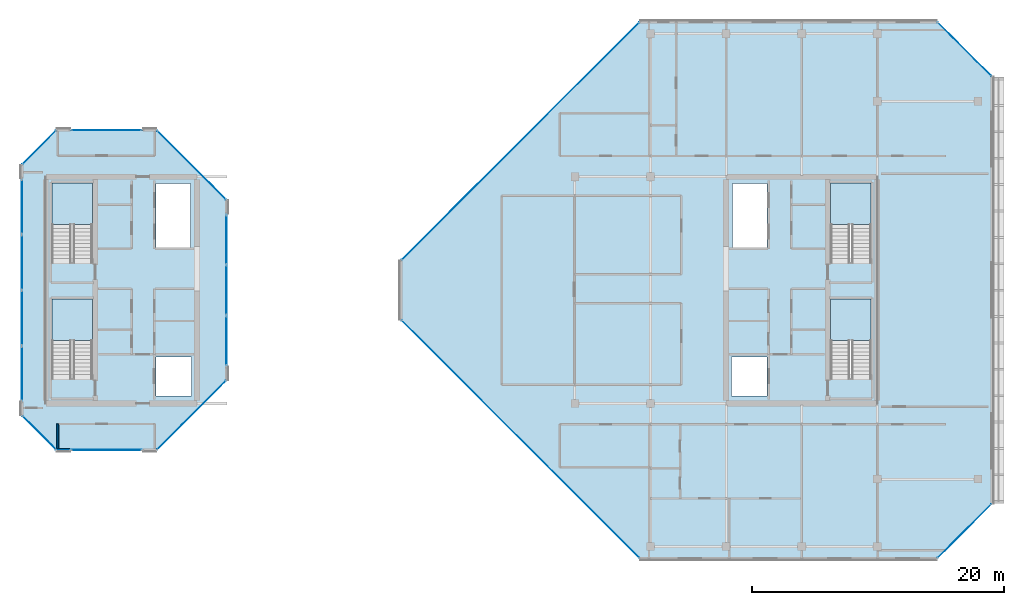
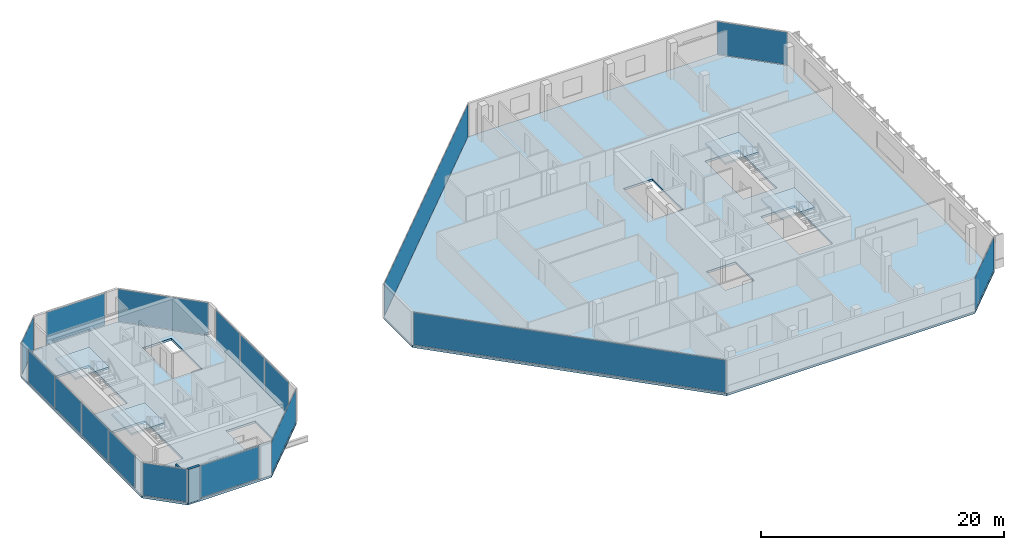
# One storey, part 20 of 28: 17 plates, 6 slabs, 2 walls, 16 elements without a shape of their own.
"""IFC4 building model written with IfcOpenShell, lengths in metres."""

from ifc_helpers import new_model, si_unit, direction, frame, frame_2d, origin, origin_2d, place, context, subcontext, project, spatial, polyline, rectangle, outline, extrude, material, layer, layer_set, type_object, element, aggregate, save


model = new_model("IFC4")

# Units and contexts
model_context = context("Model", 3, precision=1e-05, world=origin(), true_north=direction((0.0, 1.0)))
body_context = subcontext(model_context, "Body", "Model", "MODEL_VIEW")
ifc_project = project(units=[si_unit("LENGTHUNIT", "METRE"), si_unit("AREAUNIT", "SQUARE_METRE"), si_unit("VOLUMEUNIT", "CUBIC_METRE"), si_unit("PLANEANGLEUNIT", "RADIAN"), si_unit("MASSUNIT", "GRAM", prefix="KILO")], contexts=[model_context])

# Site, building, storey
site_placement = place(None, origin())
site = spatial("IfcSite", under=ifc_project, at=site_placement, CompositionType="ELEMENT")
building_placement = place(site_placement, origin())
building = spatial("IfcBuilding", under=site, at=building_placement, Name="Tanjung Sevakor Pilgrim Tower", CompositionType="ELEMENT")
storey_placement = place(building_placement, frame((0.0, 0.0, 246.179931640625)))
storey = spatial("IfcBuildingStorey", under=building, at=storey_placement, Name="L69", CompositionType="ELEMENT", Elevation=246.179931640625)

# Stair, slab
ifc_material_1 = material(Name="Concrete C40/50", Category="concrete")
stair_type = type_object("IfcStairType", Name="STAIR-ST-CR150", PredefinedType="HALF_TURN_STAIR", material=ifc_material_1)
stair_1_placement = place(storey_placement, origin())
stair_1 = element("IfcStair", 1, at=stair_1_placement, inside=storey, type_object=stair_type, Name="L69 West Core Exit Stair 1", PredefinedType="HALF_TURN_STAIR")
ifc_material_2 = material(Name="Concrete C40/50", Category="concrete")
ifc_layer_1 = layer(ifc_material_2, 0.199951171875)
ifc_layer_set_1 = layer_set([ifc_layer_1], Name="SL-LAND-200")
slab_type_1 = type_object("IfcSlabType", Name="SL-LAND-200", PredefinedType="LANDING", material=ifc_layer_set_1)
slab_1_placement = place(storey_placement, frame((0.0, 0.0, 1.614990234375)))
slab_1 = element("IfcSlab", 2, at=slab_1_placement, type_object=slab_type_1, Name="TS-W1 landing 1", PredefinedType="LANDING", context=body_context, shape_type="SweptSolid", body=[
    extrude(outline(polyline([(27.699951171875, 29.60009765625), (27.699951171875, 32.89990234375), (24.5, 32.89990234375), (24.5, 29.60009765625), (27.699951171875, 29.60009765625)])), origin(), (0.0, 0.0, 1.0), 0.2001953125),
])
aggregate(stair_1, [slab_1])

stair_2_placement = place(storey_placement, origin())
stair_2 = element("IfcStair", 3, at=stair_2_placement, inside=storey, type_object=stair_type, Name="L69 West Core Exit Stair 2", PredefinedType="HALF_TURN_STAIR")
slab_2_placement = place(storey_placement, frame((0.0, 0.0, 1.614990234375)))
slab_2 = element("IfcSlab", 4, at=slab_2_placement, type_object=slab_type_1, Name="TS-W2 landing 1", PredefinedType="LANDING", context=body_context, shape_type="SweptSolid", body=[
    extrude(outline(polyline([(27.699951171875, 38.800048828125), (27.699951171875, 42.10009765625), (24.5, 42.10009765625), (24.5, 38.800048828125), (27.699951171875, 38.800048828125)])), origin(), (0.0, 0.0, 1.0), 0.2001953125),
])
aggregate(stair_2, [slab_2])

stair_3_placement = place(storey_placement, origin())
stair_3 = element("IfcStair", 5, at=stair_3_placement, inside=storey, type_object=stair_type, Name="L69 East Core Exit Stair 1", PredefinedType="HALF_TURN_STAIR")
slab_3_placement = place(storey_placement, frame((0.0, 0.0, 1.614990234375)))
slab_3 = element("IfcSlab", 6, at=slab_3_placement, type_object=slab_type_1, Name="TS-E1 landing 1", PredefinedType="LANDING", context=body_context, shape_type="SweptSolid", body=[
    extrude(outline(polyline([(89.5, 29.60009765625), (89.5, 32.89990234375), (86.300048828125, 32.89990234375), (86.300048828125, 29.60009765625), (89.5, 29.60009765625)])), origin(), (0.0, 0.0, 1.0), 0.2001953125),
])
aggregate(stair_3, [slab_3])

stair_4_placement = place(storey_placement, origin())
stair_4 = element("IfcStair", 7, at=stair_4_placement, inside=storey, type_object=stair_type, Name="L69 East Core Exit Stair 2", PredefinedType="HALF_TURN_STAIR")
slab_4_placement = place(storey_placement, frame((0.0, 0.0, 1.614990234375)))
slab_4 = element("IfcSlab", 8, at=slab_4_placement, type_object=slab_type_1, Name="TS-E2 landing 1", PredefinedType="LANDING", context=body_context, shape_type="SweptSolid", body=[
    extrude(outline(polyline([(89.5, 38.800048828125), (89.5, 42.10009765625), (86.300048828125, 42.10009765625), (86.300048828125, 38.800048828125), (89.5, 38.800048828125)])), origin(), (0.0, 0.0, 1.0), 0.2001953125),
])
aggregate(stair_4, [slab_4])

# Slabs
ifc_material_3 = material(Name="Concrete C40/50", Category="concrete")
ifc_layer_2 = layer(ifc_material_3, 0.219970703125)
ifc_layer_set_2 = layer_set([ifc_layer_2], Name="SL-TWR-220")
slab_type_2 = type_object("IfcSlabType", Name="SL-TWR-220", PredefinedType="FLOOR", material=ifc_layer_set_2)
slab_5_placement = place(storey_placement, frame((0.0, 0.0, -0.219970703125)))
element("IfcSlab", 9, at=slab_5_placement, inside=storey, type_object=slab_type_2, Name="L69 Floor Slab WEST", PredefinedType="FLOOR", context=body_context, shape_type="SweptSolid", body=[
    extrude(outline(polyline([(24.846923828125, 20.8798828125), (32.802978515625, 20.8798828125), (38.3701171875, 26.447021484375), (38.3701171875, 40.753173828125), (32.802978515625, 46.320068359375), (24.846923828125, 46.320068359375), (22.080078125, 43.552978515625), (22.080078125, 23.64697265625), (24.846923828125, 20.8798828125)]), holes=[polyline([(27.699951171875, 26.60009765625), (27.699951171875, 32.89990234375), (24.5, 32.89990234375), (24.5, 26.60009765625), (27.699951171875, 26.60009765625)]), polyline([(27.699951171875, 35.800048828125), (27.699951171875, 42.10009765625), (24.5, 42.10009765625), (24.5, 35.800048828125), (27.699951171875, 35.800048828125)]), polyline([(32.75, 25.199951171875), (35.550048828125, 25.199951171875), (35.550048828125, 28.300048828125), (32.75, 28.300048828125), (32.75, 25.199951171875)]), polyline([(32.75, 37.0), (35.5, 37.0), (35.5, 42.050048828125), (32.75, 42.050048828125), (32.75, 37.0)])]), origin(), (0.0, 0.0, 1.0), 0.219970703125),
])
slab_6_placement = place(storey_placement, frame((0.0, 0.0, -0.219970703125)))
element("IfcSlab", 10, at=slab_6_placement, inside=storey, type_object=slab_type_2, Name="L69 Floor Slab EAST", PredefinedType="FLOOR", context=body_context, shape_type="SweptSolid", body=[
    extrude(outline(polyline([(71.14697265625, 12.280029296875), (94.753173828125, 12.280029296875), (99.1201171875, 16.64697265625), (99.1201171875, 50.552978515625), (94.753173828125, 54.919921875), (71.14697265625, 54.919921875), (52.179931640625, 35.953125), (52.179931640625, 31.246826171875), (71.14697265625, 12.280029296875)]), holes=[polyline([(89.5, 26.60009765625), (89.5, 32.89990234375), (86.300048828125, 32.89990234375), (86.300048828125, 26.60009765625), (89.5, 26.60009765625)]), polyline([(89.5, 35.800048828125), (89.5, 42.10009765625), (86.300048828125, 42.10009765625), (86.300048828125, 35.800048828125), (89.5, 35.800048828125)]), polyline([(78.449951171875, 25.199951171875), (81.25, 25.199951171875), (81.25, 28.300048828125), (78.449951171875, 28.300048828125), (78.449951171875, 25.199951171875)]), polyline([(78.5, 37.0), (81.25, 37.0), (81.25, 42.050048828125), (78.5, 42.050048828125), (78.5, 37.0)])]), origin(), (0.0, 0.0, 1.0), 0.219970703125),
])

# Curtain wall, plate
ifc_material_4 = material(Name="Aluminium 6063-T6 and Low-E Glass", Category="aluminium")
ifc_layer_3 = layer(ifc_material_4, 0.179931640625)
ifc_layer_set_3 = layer_set([ifc_layer_3], Name="CW-SYS-CHAM")
curtain_wall_type_1 = type_object("IfcCurtainWallType", Name="CW-SYS-CHAM", PredefinedType="NOTDEFINED", material=ifc_layer_set_3)
curtain_wall_1_placement = place(storey_placement, origin())
curtain_wall_1 = element("IfcCurtainWall", 11, at=curtain_wall_1_placement, inside=storey, type_object=curtain_wall_type_1, Name="L69 Curtain Wall CW-CHM-L69-WEST-1", PredefinedType="NOTDEFINED")
ifc_material_5 = material(Name="Laminated Low-E Double Glazing", Category="glass")
ifc_layer_4 = layer(ifc_material_5, 0.028076171875)
ifc_layer_set_4 = layer_set([ifc_layer_4], Name="TYPE-CWP-GLZ1")
plate_type_1 = type_object("IfcPlateType", Name="TYPE-CWP-GLZ1", PredefinedType="CURTAIN_PANEL", material=ifc_layer_set_4)
plate_1_placement = place(storey_placement, frame((35.572265625, 23.677734375, 0.06494140625), z_axis=(0.0, 0.0, 1.0), x_axis=(0.707106781187, 0.707106781187, 0.0)))
plate_1 = element("IfcPlate", 12, at=plate_1_placement, type_object=plate_type_1, Name="CW-CHM panel 1.1", PredefinedType="CURTAIN_PANEL", context=body_context, shape_type="SweptSolid", body=[
    extrude(rectangle(XDim=7.698486328125, YDim=0.028076171875, at=origin_2d()), origin(), (0.0, 0.0, 1.0), 3.280029296875),
])
aggregate(curtain_wall_1, [plate_1])

curtain_wall_2_placement = place(storey_placement, origin())
curtain_wall_2 = element("IfcCurtainWall", 13, at=curtain_wall_2_placement, inside=storey, type_object=curtain_wall_type_1, Name="L69 Curtain Wall CW-CHM-L69-WEST-3", PredefinedType="NOTDEFINED")
plate_2_placement = place(storey_placement, frame((35.572265625, 43.522216796875, 0.06494140625), z_axis=(0.0, 0.0, 1.0), x_axis=(-0.707106781187, 0.707106781187, 0.0)))
plate_2 = element("IfcPlate", 14, at=plate_2_placement, type_object=plate_type_1, Name="CW-CHM panel 1.1", PredefinedType="CURTAIN_PANEL", context=body_context, shape_type="SweptSolid", body=[
    extrude(rectangle(XDim=7.698486328125, YDim=0.028076171875, at=origin_2d()), origin(), (0.0, 0.0, 1.0), 3.280029296875),
])
aggregate(curtain_wall_2, [plate_2])

curtain_wall_3_placement = place(storey_placement, origin())
curtain_wall_3 = element("IfcCurtainWall", 15, at=curtain_wall_3_placement, inside=storey, type_object=curtain_wall_type_1, Name="L69 Curtain Wall CW-CHM-L69-WEST-5", PredefinedType="NOTDEFINED")
plate_3_placement = place(storey_placement, frame((23.477783203125, 44.922119140625, 0.06494140625), z_axis=(0.0, 0.0, 1.0), x_axis=(-0.707106781187, -0.707106781187, 0.0)))
plate_3 = element("IfcPlate", 16, at=plate_3_placement, type_object=plate_type_1, Name="CW-CHM panel 1.1", PredefinedType="CURTAIN_PANEL", context=body_context, shape_type="SweptSolid", body=[
    extrude(rectangle(XDim=3.73876953125, YDim=0.028076171875, at=origin_2d()), origin(), (0.0, 0.0, 1.0), 3.280029296875),
])
aggregate(curtain_wall_3, [plate_3])

curtain_wall_4_placement = place(storey_placement, origin())
curtain_wall_4 = element("IfcCurtainWall", 17, at=curtain_wall_4_placement, inside=storey, type_object=curtain_wall_type_1, Name="L69 Curtain Wall CW-CHM-L69-WEST-7", PredefinedType="NOTDEFINED")
plate_4_placement = place(storey_placement, frame((23.477783203125, 22.27783203125, 0.06494140625), z_axis=(0.0, 0.0, 1.0), x_axis=(0.707106781187, -0.707106781187, 0.0)))
plate_4 = element("IfcPlate", 18, at=plate_4_placement, type_object=plate_type_1, Name="CW-CHM panel 1.1", PredefinedType="CURTAIN_PANEL", context=body_context, shape_type="SweptSolid", body=[
    extrude(rectangle(XDim=3.73876953125, YDim=0.028076171875, at=origin_2d()), origin(), (0.0, 0.0, 1.0), 3.280029296875),
])
aggregate(curtain_wall_4, [plate_4])

curtain_wall_5_placement = place(storey_placement, origin())
curtain_wall_5 = element("IfcCurtainWall", 19, at=curtain_wall_5_placement, inside=storey, type_object=curtain_wall_type_1, Name="L69 Curtain Wall CW-CHM-L69-EAST-1", PredefinedType="NOTDEFINED")
plate_5_placement = place(storey_placement, frame((96.922119140625, 14.477783203125, 0.06494140625), z_axis=(0.0, 0.0, 1.0), x_axis=(0.707106781187, 0.707106781187, 0.0)))
plate_5 = element("IfcPlate", 20, at=plate_5_placement, type_object=plate_type_1, Name="CW-CHM panel 1.1", PredefinedType="CURTAIN_PANEL", context=body_context, shape_type="SweptSolid", body=[
    extrude(rectangle(XDim=6.00146484375, YDim=0.028076171875, at=origin_2d()), origin(), (0.0, 0.0, 1.0), 3.280029296875),
])
aggregate(curtain_wall_5, [plate_5])

curtain_wall_6_placement = place(storey_placement, origin())
curtain_wall_6 = element("IfcCurtainWall", 21, at=curtain_wall_6_placement, inside=storey, type_object=curtain_wall_type_1, Name="L69 Curtain Wall CW-CHM-L69-EAST-3", PredefinedType="NOTDEFINED")
plate_6_placement = place(storey_placement, frame((96.922119140625, 52.72216796875, 0.06494140625), z_axis=(0.0, 0.0, 1.0), x_axis=(-0.707106781187, 0.707106781187, 0.0)))
plate_6 = element("IfcPlate", 22, at=plate_6_placement, type_object=plate_type_1, Name="CW-CHM panel 1.1", PredefinedType="CURTAIN_PANEL", context=body_context, shape_type="SweptSolid", body=[
    extrude(rectangle(XDim=6.00146484375, YDim=0.028076171875, at=origin_2d()), origin(), (0.0, 0.0, 1.0), 3.280029296875),
])
aggregate(curtain_wall_6, [plate_6])

curtain_wall_7_placement = place(storey_placement, origin())
curtain_wall_7 = element("IfcCurtainWall", 23, at=curtain_wall_7_placement, inside=storey, type_object=curtain_wall_type_1, Name="L69 Curtain Wall CW-CHM-L69-EAST-5", PredefinedType="NOTDEFINED")
plate_7_placement = place(storey_placement, frame((61.677734375, 45.422119140625, 0.06494140625), z_axis=(0.0, 0.0, 1.0), x_axis=(-0.707106781187, -0.707106781187, 0.0)))
plate_7 = element("IfcPlate", 24, at=plate_7_placement, type_object=plate_type_1, Name="CW-CHM panel 1.1", PredefinedType="CURTAIN_PANEL", context=body_context, shape_type="SweptSolid", body=[
    extrude(rectangle(XDim=26.64892578125, YDim=0.028076171875, at=origin_2d()), origin(), (0.0, 0.0, 1.0), 3.280029296875),
])
aggregate(curtain_wall_7, [plate_7])

curtain_wall_8_placement = place(storey_placement, origin())
curtain_wall_8 = element("IfcCurtainWall", 25, at=curtain_wall_8_placement, inside=storey, type_object=curtain_wall_type_1, Name="L69 Curtain Wall CW-CHM-L69-EAST-7", PredefinedType="NOTDEFINED")
plate_8_placement = place(storey_placement, frame((61.677734375, 21.77783203125, 0.06494140625), z_axis=(0.0, 0.0, 1.0), x_axis=(0.707106781187, -0.707106781187, 0.0)))
plate_8 = element("IfcPlate", 26, at=plate_8_placement, type_object=plate_type_1, Name="CW-CHM panel 1.1", PredefinedType="CURTAIN_PANEL", context=body_context, shape_type="SweptSolid", body=[
    extrude(rectangle(XDim=26.64892578125, YDim=0.028076171875, at=origin_2d()), origin(), (0.0, 0.0, 1.0), 3.280029296875),
])
aggregate(curtain_wall_8, [plate_8])

ifc_material_6 = material(Name="Aluminium 6063-T6 and Low-E Glass", Category="aluminium")
ifc_layer_5 = layer(ifc_material_6, 0.199951171875)
ifc_layer_set_5 = layer_set([ifc_layer_5], Name="CW-SYS-CRNW")
curtain_wall_type_2 = type_object("IfcCurtainWallType", Name="CW-SYS-CRNW", PredefinedType="NOTDEFINED", material=ifc_layer_set_5)
curtain_wall_9_placement = place(storey_placement, origin())
curtain_wall_9 = element("IfcCurtainWall", 27, at=curtain_wall_9_placement, inside=storey, type_object=curtain_wall_type_2, Name="L69 Curtain Wall CW-CRN-L69-WEST-0-1", PredefinedType="NOTDEFINED")
ifc_material_7 = material(Name="Solar-Control Low-E Acoustic Glazing", Category="glass")
ifc_layer_6 = layer(ifc_material_7, 0.031982421875)
ifc_layer_set_6 = layer_set([ifc_layer_6], Name="TYPE-CWP-GLZ2")
plate_type_2 = type_object("IfcPlateType", Name="TYPE-CWP-GLZ2", PredefinedType="CURTAIN_PANEL", material=ifc_layer_set_6)
plate_9_placement = place(storey_placement, frame((28.824951171875, 20.909912109375, 0.080078125), z_axis=(0.0, 0.0, 1.0), x_axis=(1.0, 0.0, 0.0)))
plate_9 = element("IfcPlate", 28, at=plate_9_placement, type_object=plate_type_2, Name="CW-CRW panel 1.1", PredefinedType="CURTAIN_PANEL", context=body_context, shape_type="SweptSolid", body=[
    extrude(rectangle(XDim=5.598876953125, YDim=0.031982421875, at=origin_2d()), origin(), (0.0, 0.0, 1.0), 3.25),
])
aggregate(curtain_wall_9, [plate_9])

# Curtain wall, plates
curtain_wall_10_placement = place(storey_placement, origin())
curtain_wall_10 = element("IfcCurtainWall", 29, at=curtain_wall_10_placement, inside=storey, type_object=curtain_wall_type_2, Name="L69 Curtain Wall CW-CRN-L69-WEST-2-1", PredefinedType="NOTDEFINED")
plate_10_placement = place(storey_placement, frame((38.340087890625, 29.583740234375, 0.080078125), z_axis=(0.0, 0.0, 1.0), x_axis=(0.0, 1.0, 0.0)))
plate_10 = element("IfcPlate", 30, at=plate_10_placement, type_object=plate_type_2, Name="CW-CRW panel 1.1", PredefinedType="CURTAIN_PANEL", context=body_context, shape_type="SweptSolid", body=[
    extrude(rectangle(XDim=3.916259765625, YDim=0.031982421875, at=origin_2d()), origin(), (0.0, 0.0, 1.0), 3.25),
])
plate_11_placement = place(storey_placement, frame((38.340087890625, 33.60009765625, 0.080078125), z_axis=(0.0, 0.0, 1.0), x_axis=(0.0, 1.0, 0.0)))
plate_11 = element("IfcPlate", 31, at=plate_11_placement, type_object=plate_type_2, Name="CW-CRW panel 2.1", PredefinedType="CURTAIN_PANEL", context=body_context, shape_type="SweptSolid", body=[
    extrude(rectangle(XDim=3.956298828125, YDim=0.031982421875, at=origin_2d()), origin(), (0.0, 0.0, 1.0), 3.25),
])
plate_12_placement = place(storey_placement, frame((38.340087890625, 37.6162109375, 0.080078125), z_axis=(0.0, 0.0, 1.0), x_axis=(0.0, 1.0, 0.0)))
plate_12 = element("IfcPlate", 32, at=plate_12_placement, type_object=plate_type_2, Name="CW-CRW panel 3.1", PredefinedType="CURTAIN_PANEL", context=body_context, shape_type="SweptSolid", body=[
    extrude(rectangle(XDim=3.916259765625, YDim=0.031982421875, at=origin_2d()), origin(), (0.0, 0.0, 1.0), 3.25),
])
aggregate(curtain_wall_10, [plate_10, plate_11, plate_12])

# Curtain wall, plate
curtain_wall_11_placement = place(storey_placement, origin())
curtain_wall_11 = element("IfcCurtainWall", 33, at=curtain_wall_11_placement, inside=storey, type_object=curtain_wall_type_2, Name="L69 Curtain Wall CW-CRN-L69-WEST-4-1", PredefinedType="NOTDEFINED")
plate_13_placement = place(storey_placement, frame((28.824951171875, 46.2900390625, 0.080078125), z_axis=(0.0, 0.0, 1.0), x_axis=(-1.0, 0.0, 0.0)))
plate_13 = element("IfcPlate", 34, at=plate_13_placement, type_object=plate_type_2, Name="CW-CRW panel 1.1", PredefinedType="CURTAIN_PANEL", context=body_context, shape_type="SweptSolid", body=[
    extrude(rectangle(XDim=5.598876953125, YDim=0.031982421875, at=origin_2d()), origin(), (0.0, 0.0, 1.0), 3.25),
])
aggregate(curtain_wall_11, [plate_13])

# Curtain wall, plates
curtain_wall_12_placement = place(storey_placement, origin())
curtain_wall_12 = element("IfcCurtainWall", 35, at=curtain_wall_12_placement, inside=storey, type_object=curtain_wall_type_2, Name="L69 Curtain Wall CW-CRN-L69-WEST-6-1", PredefinedType="NOTDEFINED")
plate_14_placement = place(storey_placement, frame((22.110107421875, 40.220703125, 0.080078125), z_axis=(0.0, 0.0, 1.0), x_axis=(0.0, -1.0, 0.0)))
plate_14 = element("IfcPlate", 36, at=plate_14_placement, type_object=plate_type_2, Name="CW-CRW panel 1.1", PredefinedType="CURTAIN_PANEL", context=body_context, shape_type="SweptSolid", body=[
    extrude(rectangle(XDim=4.30712890625, YDim=0.031982421875, at=origin_2d()), origin(), (0.0, 0.0, 1.0), 3.25),
])
plate_15_placement = place(storey_placement, frame((22.110107421875, 35.813720703125, 0.080078125), z_axis=(0.0, 0.0, 1.0), x_axis=(0.0, -1.0, 0.0)))
plate_15 = element("IfcPlate", 37, at=plate_15_placement, type_object=plate_type_2, Name="CW-CRW panel 2.1", PredefinedType="CURTAIN_PANEL", context=body_context, shape_type="SweptSolid", body=[
    extrude(rectangle(XDim=4.34716796875, YDim=0.031982421875, at=origin_2d()), origin(), (0.0, 0.0, 1.0), 3.25),
])
plate_16_placement = place(storey_placement, frame((22.110107421875, 31.386474609375, 0.080078125), z_axis=(0.0, 0.0, 1.0), x_axis=(0.0, -1.0, 0.0)))
plate_16 = element("IfcPlate", 38, at=plate_16_placement, type_object=plate_type_2, Name="CW-CRW panel 3.1", PredefinedType="CURTAIN_PANEL", context=body_context, shape_type="SweptSolid", body=[
    extrude(rectangle(XDim=4.34716796875, YDim=0.031982421875, at=origin_2d()), origin(), (0.0, 0.0, 1.0), 3.25),
])
plate_17_placement = place(storey_placement, frame((22.110107421875, 26.979248046875, 0.080078125), z_axis=(0.0, 0.0, 1.0), x_axis=(0.0, -1.0, 0.0)))
plate_17 = element("IfcPlate", 39, at=plate_17_placement, type_object=plate_type_2, Name="CW-CRW panel 4.1", PredefinedType="CURTAIN_PANEL", context=body_context, shape_type="SweptSolid", body=[
    extrude(rectangle(XDim=4.30712890625, YDim=0.031982421875, at=origin_2d()), origin(), (0.0, 0.0, 1.0), 3.25),
])
aggregate(curtain_wall_12, [plate_14, plate_15, plate_16, plate_17])

# Walls
ifc_material_8 = material(Name="Concrete C40/50", Category="concrete")
ifc_layer_7 = layer(ifc_material_8, 0.14990234375)
ifc_layer_set_7 = layer_set([ifc_layer_7], Name="WT-COMP-150")
wall_type_1 = type_object("IfcWallType", Name="WT-COMP-150", PredefinedType="SOLIDWALL", material=ifc_layer_set_7)
wall_1_placement = place(storey_placement, frame((24.949951171875, 20.919921875, 0.0), z_axis=(0.0, 0.0, 1.0), x_axis=(0.0, 1.0, 0.0)))
element("IfcWall", 40, at=wall_1_placement, inside=storey, type_object=wall_type_1, Name="L69 Partition IW-L69-028", PredefinedType="SOLIDWALL", context=body_context, shape_type="SweptSolid", body=[
    extrude(rectangle(XDim=2.06005859375, YDim=0.14990234375, at=frame_2d((1.030029296875, 0.0))), origin(), (0.0, 0.0, 1.0), 2.6298828125),
])
ifc_material_9 = material(Name="Precast concrete C45/55", Category="concrete")
ifc_layer_8 = layer(ifc_material_9, 0.219970703125)
ifc_layer_set_8 = layer_set([ifc_layer_8], Name="WT-EW-STN4")
wall_type_2 = type_object("IfcWallType", Name="WT-EW-STN4", PredefinedType="SOLIDWALL", material=ifc_layer_set_8)
wall_2_placement = place(storey_placement, frame((24.845703125, 20.909912109375, 0.0), z_axis=(0.0, 0.0, 1.0), x_axis=(1.0, 0.0, 0.0)))
element("IfcWall", 41, at=wall_2_placement, inside=storey, type_object=wall_type_2, Name="L69 WEST Crown Pier 0-1A", PredefinedType="SOLIDWALL", context=body_context, shape_type="SweptSolid", body=[
    extrude(rectangle(XDim=1.099853515625, YDim=0.219970703125, at=frame_2d((0.5498046875, 0.0))), origin(), (0.0, 0.0, 1.0), 3.409912109375),
])

save(model, "model.ifc")
